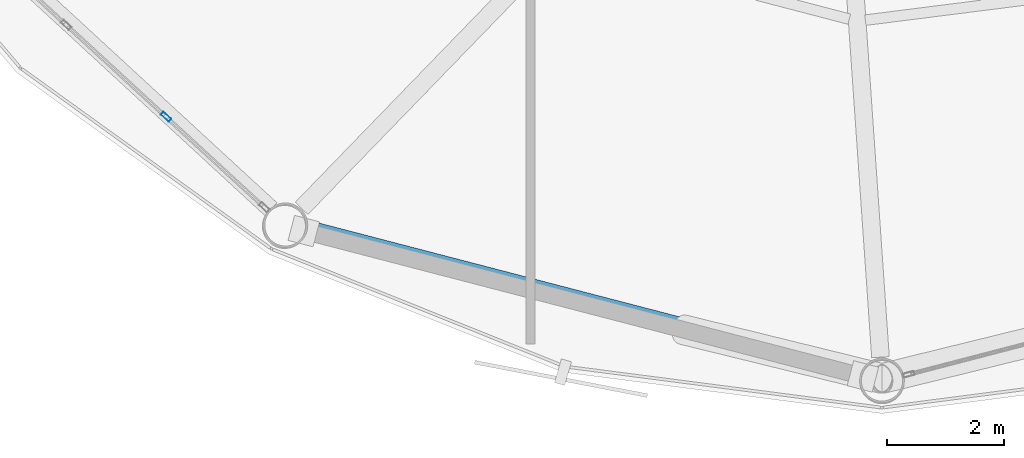
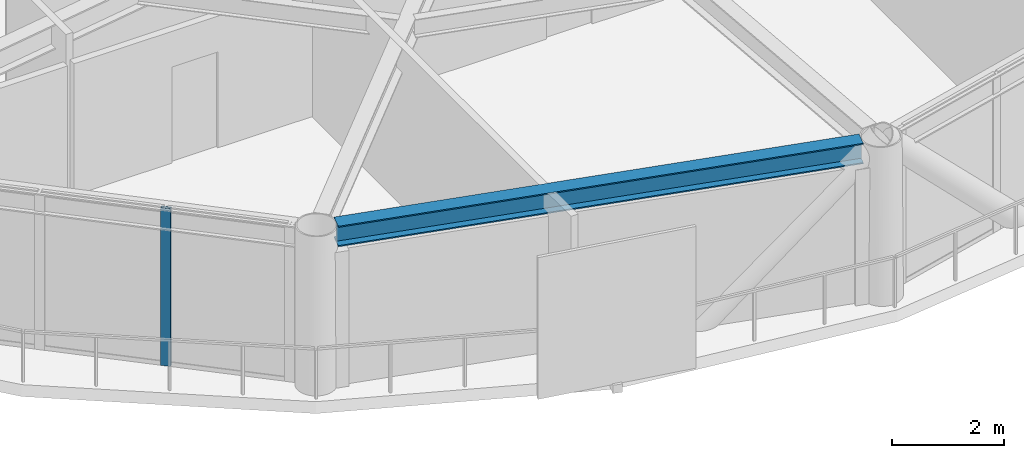
# One storey, part 3 of 26: 1 beam, 1 member, 1 element without a shape of its own.
"""IFC4 building model written with IfcOpenShell, lengths in metres."""

from ifc_helpers import new_model, si_unit, direction, frame, origin, origin_2d, place, context, subcontext, project, spatial, hollow_rectangle, i_section, extrude, material, layer, layer_set, material_profile, profile_set, type_object, element, aggregate, save


model = new_model("IFC4")

# Units and contexts
model_context = context("Model", 3, precision=1e-05, world=origin(), true_north=direction((0.0, 1.0)))
body_context = subcontext(model_context, "Body", "Model", "MODEL_VIEW")
ifc_project = project(units=[si_unit("LENGTHUNIT", "METRE"), si_unit("AREAUNIT", "SQUARE_METRE"), si_unit("VOLUMEUNIT", "CUBIC_METRE"), si_unit("PLANEANGLEUNIT", "RADIAN"), si_unit("MASSUNIT", "GRAM", prefix="KILO")], contexts=[model_context])

# Site, building, storey
site_placement = place(None, origin())
site = spatial("IfcSite", under=ifc_project, at=site_placement, CompositionType="ELEMENT")
building_placement = place(site_placement, origin())
building = spatial("IfcBuilding", under=site, at=building_placement, Name="Varnakorn Sky Granary", CompositionType="ELEMENT")
storey_placement = place(building_placement, frame((0.0, 0.0, 165.60009765625)))
storey = spatial("IfcBuildingStorey", under=building, at=storey_placement, Name="L41", CompositionType="ELEMENT", Elevation=165.60009765625)

# Beam
ifc_material_1 = material(Name="Steel S355JR", Category="steel")
ifc_material_profile_1 = material_profile(ifc_material_1, i_section(OverallWidth=0.300048828125, OverallDepth=0.449951171875, WebThickness=0.013916015625, FlangeThickness=0.02587890625, at=origin_2d()), Name="HE 450 B")
ifc_profile_set_1 = profile_set([ifc_material_profile_1], Name="Steel S355JR")
beam_type = type_object("IfcBeamType", Name="BM-SPD-Z3", PredefinedType="SPANDREL", material=ifc_profile_set_1)
beam_placement = place(storey_placement, frame((-11.30322265625, -16.2998046875, 3.224853515625), z_axis=(0.967790710414, -0.251756113801, 0.0), x_axis=(0.251756113801, 0.967790710414, 0.0)))
element("IfcBeam", 1, at=beam_placement, inside=storey, type_object=beam_type, Name="Perimeter Spandrel Ring Beam RB09 L41", PredefinedType="SPANDREL", context=body_context, shape_type="SweptSolid", body=[
    extrude(i_section(OverallWidth=0.300048828125, OverallDepth=0.449951171875, WebThickness=0.013916015625, FlangeThickness=0.02587890625, at=origin_2d()), origin(), (0.0, 0.0, 1.0), 9.763427734375),
])

# Curtain wall, member
ifc_material_2 = material(Name="Anodised Bronze Aluminium Alloy 6063-T6", Category="aluminium")
ifc_layer = layer(ifc_material_2, 0.179931640625, Name="Anodised Bronze Aluminium Alloy 6063-T6")
ifc_layer_set = layer_set([ifc_layer], Name="Anodised Bronze Aluminium Alloy 6063-T6")
curtain_wall_type = type_object("IfcCurtainWallType", Name="CW-FRM-2", PredefinedType="USERDEFINED", material=ifc_layer_set)
curtain_wall_placement = place(storey_placement, origin())
curtain_wall = element("IfcCurtainWall", 2, at=curtain_wall_placement, inside=storey, type_object=curtain_wall_type, Name="Unitised Curtain Wall CW4 CW-L41-B08", ObjectType="CURTAIN WALL", PredefinedType="USERDEFINED")
ifc_material_profile_2 = material_profile(ifc_material_2, hollow_rectangle(XDim=0.070068359375, YDim=0.18505859375, WallThickness=0.00390625, at=origin_2d()), Name="ALU MULL 70x185")
ifc_profile_set_2 = profile_set([ifc_material_profile_2], Name="Anodised Bronze Aluminium Alloy 6063-T6")
member_type = type_object("IfcMemberType", Name="CW-FRM-2-MULL", PredefinedType="MULLION", material=ifc_profile_set_2)
member_placement = place(storey_placement, frame((-13.71826171875, -14.3828125, 0.0), z_axis=(0.0, 0.0, 1.0), x_axis=(-0.677284882962, -0.735720862359, 0.0)))
member = element("IfcMember", 3, at=member_placement, type_object=member_type, Name="CW4 mullion 2", PredefinedType="MULLION", context=body_context, shape_type="SweptSolid", body=[
    extrude(hollow_rectangle(XDim=0.070068359375, YDim=0.18505859375, WallThickness=0.00390625, at=origin_2d()), origin(), (0.0, 0.0, 1.0), 3.449951171875),
])
aggregate(curtain_wall, [member])

save(model, "model.ifc")
